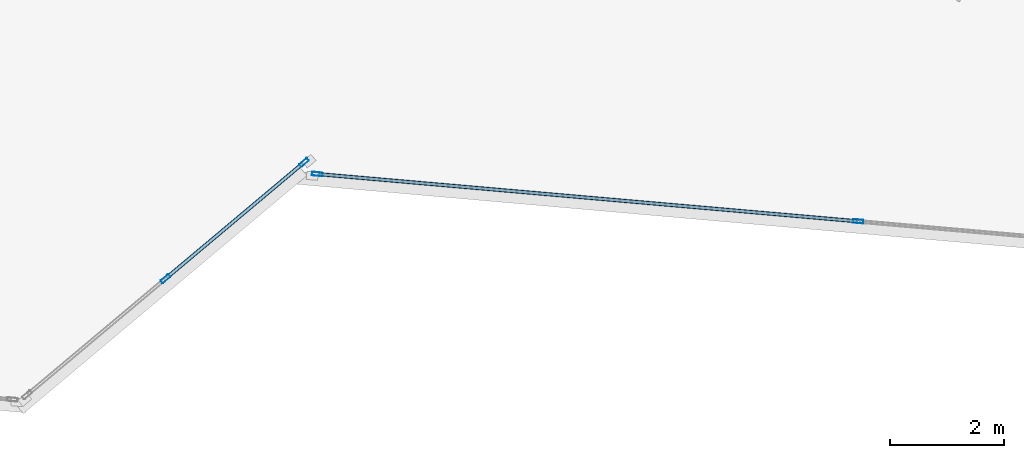
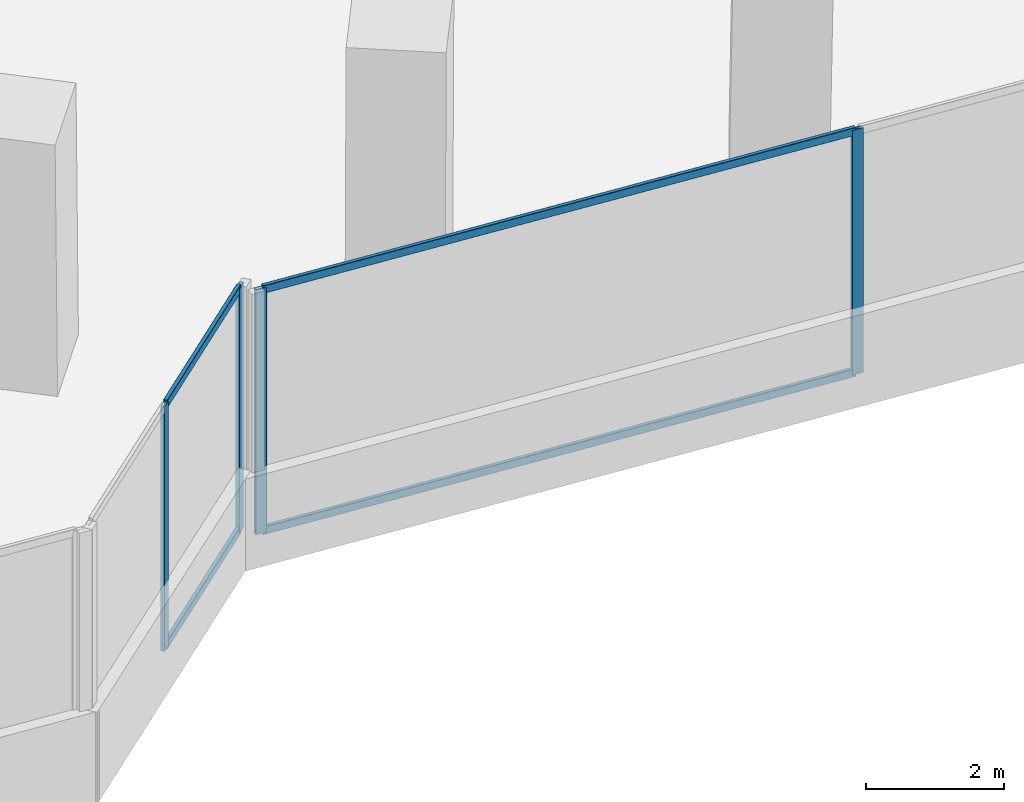
# One storey, part 8 of 23: 8 members, 2 elements without a shape of their own.
"""IFC4 building model written with IfcOpenShell, lengths in metres."""

from ifc_helpers import new_model, si_unit, direction, frame, origin, origin_2d, place, context, subcontext, project, spatial, hollow_rectangle, extrude, source, transform, mapped, material, material_profile, profile_set, type_object, element, aggregate, save


model = new_model("IFC4")

# Units and contexts
model_context = context("Model", 3, precision=1e-05, world=origin(), true_north=direction((0.0, 1.0)))
body_context = subcontext(model_context, "Body", "Model", "MODEL_VIEW")
ifc_project = project(units=[si_unit("LENGTHUNIT", "METRE"), si_unit("AREAUNIT", "SQUARE_METRE"), si_unit("VOLUMEUNIT", "CUBIC_METRE"), si_unit("PLANEANGLEUNIT", "RADIAN"), si_unit("MASSUNIT", "GRAM", prefix="KILO")], contexts=[model_context])

# Site, building, storey
site_placement = place(None, origin())
site = spatial("IfcSite", under=ifc_project, at=site_placement, CompositionType="ELEMENT")
building_placement = place(site_placement, origin())
building = spatial("IfcBuilding", under=site, at=building_placement, Name="Torre Montelarca", CompositionType="ELEMENT")
storey_placement = place(building_placement, frame((0.0, 0.0, 56.800048828125)))
storey = spatial("IfcBuildingStorey", under=building, at=storey_placement, Name="L12", CompositionType="ELEMENT", Elevation=56.800048828125)

# Curtain wall, members
ifc_material_1 = material(Name="Insulated low-E laminated glass", Category="glass")
curtain_wall_type = type_object("IfcCurtainWallType", Name="CW-SYS-Z1", PredefinedType="USERDEFINED", material=ifc_material_1)
curtain_wall_1_placement = place(storey_placement, origin())
curtain_wall_1 = element("IfcCurtainWall", 1, at=curtain_wall_1_placement, inside=storey, type_object=curtain_wall_type, Name="L12 Curtain Wall Run CW-T3-L12-E02-B1", ObjectType="UNITISED GLAZING", PredefinedType="USERDEFINED")
ifc_material_2 = material(Name="Anodised aluminium AA 6063-T6", Category="aluminium")
ifc_material_profile_1 = material_profile(ifc_material_2, hollow_rectangle(XDim=0.06494140625, YDim=0.179931640625, WallThickness=0.00390625, InnerFilletRadius=0.00390625, OuterFilletRadius=0.008056640625, at=origin_2d()), Name="ALU65X180X4", Category="aluminium")
ifc_profile_set_1 = profile_set([ifc_material_profile_1], Name="Anodised aluminium AA 6063-T6")
member_type_1 = type_object("IfcMemberType", Name="CWM-ALU180", PredefinedType="MULLION", material=ifc_profile_set_1)
shared_shape_1 = source(origin(), body_context, "Body", "SweptSolid", [
    extrude(hollow_rectangle(XDim=0.06494140625, YDim=0.179931640625, WallThickness=0.00390625, InnerFilletRadius=0.00390625, OuterFilletRadius=0.008056640625, at=origin_2d()), origin(), (0.0, 0.0, 1.0), 4.320068359375),
])
member_1_placement = place(storey_placement, frame((33.267333984375, 15.1826171875, 0.0), z_axis=(0.0, 0.0, 1.0), x_axis=(-0.642777937498, 0.766052558945, 0.0)))
member_1 = element("IfcMember", 2, at=member_1_placement, type_object=member_type_1, Name="CW mullion 2", PredefinedType="MULLION", context=body_context, shape_type="MappedRepresentation", body=[
    mapped(shared_shape_1, transform((0.0, 0.0, 0.0), scale=1.0)),
])
member_2_placement = place(storey_placement, frame((35.69384765625, 17.218505859375, 0.0), z_axis=(0.0, 0.0, 1.0), x_axis=(-0.642777937498, 0.766052558945, 0.0)))
member_2 = element("IfcMember", 3, at=member_2_placement, type_object=member_type_1, Name="CW mullion 3", PredefinedType="MULLION", context=body_context, shape_type="MappedRepresentation", body=[
    mapped(shared_shape_1, transform((0.0, 0.0, 0.0), scale=1.0)),
])

curtain_wall_2_placement = place(storey_placement, origin())
curtain_wall_2 = element("IfcCurtainWall", 4, at=curtain_wall_2_placement, inside=storey, type_object=curtain_wall_type, Name="L12 Curtain Wall Run CW-T3-L12-E04-B1", ObjectType="UNITISED GLAZING", PredefinedType="USERDEFINED")
member_3_placement = place(storey_placement, frame((35.923583984375, 17.015869140625, 0.0), z_axis=(0.0, 0.0, 1.0), x_axis=(0.087161882244, 0.996194160936, 0.0)))
member_3 = element("IfcMember", 5, at=member_3_placement, type_object=member_type_1, Name="CW mullion 1", PredefinedType="MULLION", context=body_context, shape_type="MappedRepresentation", body=[
    mapped(shared_shape_1, transform((0.0, 0.0, 0.0), scale=1.0)),
])
member_4_placement = place(storey_placement, frame((45.40087890625, 16.186767578125, 0.0), z_axis=(0.0, 0.0, 1.0), x_axis=(0.087161882244, 0.996194160936, 0.0)))
member_4 = element("IfcMember", 6, at=member_4_placement, type_object=member_type_1, Name="CW mullion 2", PredefinedType="MULLION", context=body_context, shape_type="MappedRepresentation", body=[
    mapped(shared_shape_1, transform((0.0, 0.0, 0.0), scale=1.0)),
])

# Member
ifc_material_profile_2 = material_profile(ifc_material_2, hollow_rectangle(XDim=0.06494140625, YDim=0.139892578125, WallThickness=0.00390625, InnerFilletRadius=0.00390625, OuterFilletRadius=0.008056640625, at=origin_2d()), Name="ALU65X140X4", Category="aluminium")
ifc_profile_set_2 = profile_set([ifc_material_profile_2], Name="Anodised aluminium AA 6063-T6")
member_type_2 = type_object("IfcMemberType", Name="CWT-ALU140", PredefinedType="USERDEFINED", material=ifc_profile_set_2)
shared_shape_2 = source(origin(), body_context, "Body", "SweptSolid", [
    extrude(hollow_rectangle(XDim=0.06494140625, YDim=0.139892578125, WallThickness=0.00390625, InnerFilletRadius=0.00390625, OuterFilletRadius=0.008056640625, at=origin_2d()), origin(), (0.0, 0.0, 1.0), 3.1025390625),
])
member_5_placement = place(storey_placement, frame((33.292236328125, 15.203369140625, 0.032470703125), z_axis=(0.766030296988, 0.642804468012, 0.0), x_axis=(-0.642804468012, 0.766030296988, 0.0)))
member_5 = element("IfcMember", 7, at=member_5_placement, type_object=member_type_2, Name="CW transom 2.1", ObjectType="TRANSOM", PredefinedType="USERDEFINED", context=body_context, shape_type="MappedRepresentation", body=[
    mapped(shared_shape_2, transform((0.0, 0.0, 0.0), scale=1.0)),
])

member_6_placement = place(storey_placement, frame((33.292236328125, 15.203369140625, 4.287353515625), z_axis=(0.766030296988, 0.642804468012, 0.0), x_axis=(-0.642804468012, 0.766030296988, 0.0)))
member_6 = element("IfcMember", 8, at=member_6_placement, type_object=member_type_2, Name="CW transom 2.2", ObjectType="TRANSOM", PredefinedType="USERDEFINED", context=body_context, shape_type="MappedRepresentation", body=[
    mapped(shared_shape_2, transform((0.0, 0.0, 0.0), scale=1.0)),
])

aggregate(curtain_wall_1, [member_1, member_2, member_5, member_6])

shared_shape_3 = source(origin(), body_context, "Body", "SweptSolid", [
    extrude(hollow_rectangle(XDim=0.06494140625, YDim=0.139892578125, WallThickness=0.00390625, InnerFilletRadius=0.00390625, OuterFilletRadius=0.008056640625, at=origin_2d()), origin(), (0.0, 0.0, 1.0), 9.448486328125),
])
member_7_placement = place(storey_placement, frame((35.955810546875, 17.01318359375, 0.032470703125), z_axis=(0.996194783193, -0.087154770029, 0.0), x_axis=(0.087154770029, 0.996194783193, 0.0)))
member_7 = element("IfcMember", 9, at=member_7_placement, type_object=member_type_2, Name="CW transom 1.1", ObjectType="TRANSOM", PredefinedType="USERDEFINED", context=body_context, shape_type="MappedRepresentation", body=[
    mapped(shared_shape_3, transform((0.0, 0.0, 0.0), scale=1.0)),
])

member_8_placement = place(storey_placement, frame((35.955810546875, 17.01318359375, 4.287353515625), z_axis=(0.996194783193, -0.087154770029, 0.0), x_axis=(0.087154770029, 0.996194783193, 0.0)))
member_8 = element("IfcMember", 10, at=member_8_placement, type_object=member_type_2, Name="CW transom 1.2", ObjectType="TRANSOM", PredefinedType="USERDEFINED", context=body_context, shape_type="MappedRepresentation", body=[
    mapped(shared_shape_3, transform((0.0, 0.0, 0.0), scale=1.0)),
])

aggregate(curtain_wall_2, [member_3, member_4, member_7, member_8])

save(model, "model.ifc")
